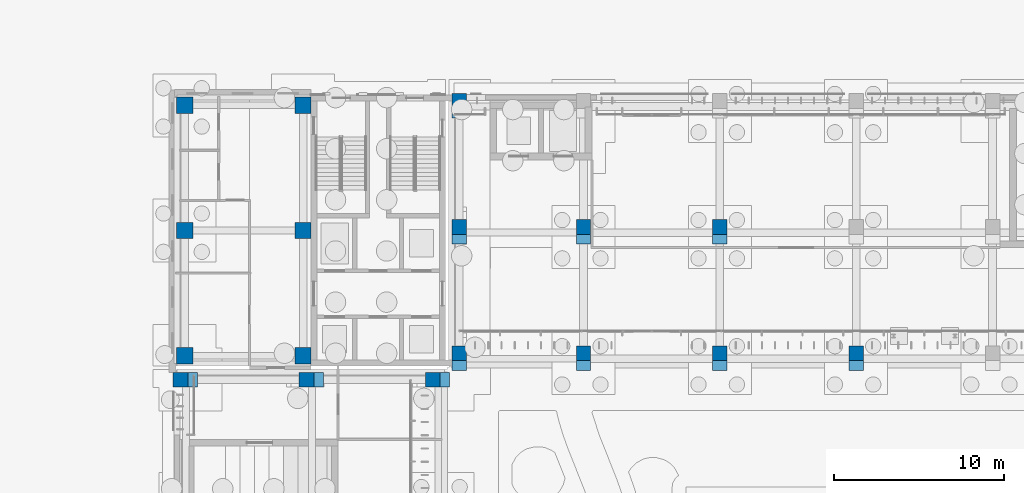
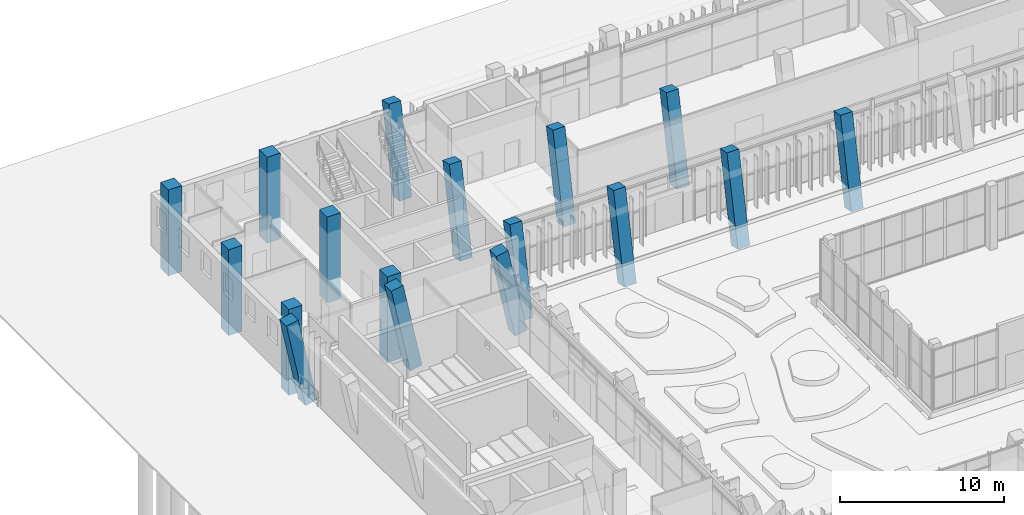
# One storey, part 22 of 144: 17 columns.
"""IFC4 building model written with IfcOpenShell, lengths in metres."""

from ifc_helpers import new_model, si_unit, direction, frame, origin, origin_2d, place, context, subcontext, project, spatial, rectangle, extrude, material, material_profile, profile_set, type_object, element, save


model = new_model("IFC4")

# Units and contexts
model_context = context("Model", 3, precision=1e-05, world=origin(), true_north=direction((0.0, 1.0)))
body_context = subcontext(model_context, "Body", "Model", "MODEL_VIEW")
ifc_project = project(units=[si_unit("LENGTHUNIT", "METRE"), si_unit("AREAUNIT", "SQUARE_METRE"), si_unit("VOLUMEUNIT", "CUBIC_METRE"), si_unit("PLANEANGLEUNIT", "RADIAN"), si_unit("MASSUNIT", "GRAM", prefix="KILO")], contexts=[model_context])

# Site, building, storey
site_placement = place(None, origin())
site = spatial("IfcSite", under=ifc_project, at=site_placement, CompositionType="ELEMENT")
building_placement = place(site_placement, origin())
building = spatial("IfcBuilding", under=site, at=building_placement, Name="Lantern Court Media Centre", CompositionType="ELEMENT")
storey_placement = place(building_placement, origin())
storey = spatial("IfcBuildingStorey", under=building, at=storey_placement, Name="L00", CompositionType="ELEMENT", Elevation=0.0)

# Columns
ifc_material = material(Name="Concrete C35", Category="concrete")
ifc_material_profile_1 = material_profile(ifc_material, rectangle(XDim=0.85009765625, YDim=0.85009765625, at=origin_2d()), Name="RC 850x850")
ifc_profile_set_1 = profile_set([ifc_material_profile_1], Name="Concrete C35")
column_type_1 = type_object("IfcColumnType", Name="RC COLUMN 850x850", PredefinedType="COLUMN", material=ifc_profile_set_1)
for number, where, z_axis, x_axis, name in (
    (1, (24.699951171875, 96.2666015625, -1.60009765625), (0.0, 0.203973640709, 0.978976380663), (-1.0, 0.0, 0.0), "C-N-0-0-L00"),
    (2, (32.0, 96.2666015625, -1.60009765625), (0.0, 0.203973640709, 0.978976380663), (-1.0, 0.0, 0.0), "C-N-0-1-L00"),
    (3, (40.0, 96.2666015625, -1.60009765625), (0.0, 0.203973640709, 0.978976380663), (-1.0, 0.0, 0.0), "C-N-0-2-L00"),
    (4, (48.0, 96.2666015625, -1.60009765625), (0.0, 0.203973640709, 0.978976380663), (-1.0, 0.0, 0.0), "C-N-0-3-L00"),
    (5, (24.699951171875, 103.666748046875, -1.60009765625), (0.0, 0.203937849881, 0.978983837142), (-1.0, 0.0, 0.0), "C-N-1-0-L00"),
    (6, (32.0, 103.666748046875, -1.60009765625), (0.0, 0.203937849881, 0.978983837142), (-1.0, 0.0, 0.0), "C-N-1-1-L00"),
    (7, (40.0, 103.666748046875, -1.60009765625), (0.0, 0.203937849881, 0.978983837142), (-1.0, 0.0, 0.0), "C-N-1-2-L00"),
    (8, (24.699951171875, 111.066650390625, -1.60009765625), (0.0, 0.203937849881, 0.978983837142), (-1.0, 0.0, 0.0), "C-N-2-0-L00"),
    (9, (8.933349609375, 95.300048828125, -1.60009765625), (-0.203937849881, 0.0, 0.978983837142), (0.0, -1.0, 0.0), "C-W-0-4-L00"),
    (10, (16.333251953125, 95.300048828125, -1.60009765625), (-0.203937849881, 0.0, 0.978983837142), (0.0, -1.0, 0.0), "C-W-1-4-L00"),
    (11, (23.7333984375, 95.300048828125, -1.60009765625), (-0.203973640709, 0.0, 0.978976380663), (0.0, -1.0, 0.0), "C-W-2-4-L00"),
):
    element("IfcColumn", number, at=place(storey_placement, frame(where, z_axis=z_axis, x_axis=x_axis)), inside=storey, type_object=column_type_1, Name=name, PredefinedType="COLUMN", context=body_context, shape_type="SweptSolid", body=[
        extrude(rectangle(XDim=0.85009765625, YDim=0.85009765625, at=origin_2d()), origin(), (0.0, 0.0, 1.0), 6.53759765625),
    ])
ifc_material_profile_2 = material_profile(ifc_material, rectangle(XDim=0.949951171875, YDim=0.949951171875, at=origin_2d()), Name="RC 950x950")
ifc_profile_set_2 = profile_set([ifc_material_profile_2], Name="Concrete C35")
column_type_2 = type_object("IfcColumnType", Name="RC COLUMN 950x950", PredefinedType="COLUMN", material=ifc_profile_set_2)
for number, where, z_axis, x_axis, name in (
    (12, (8.60009765625, 96.699951171875, -1.60009765625), (0.0, 0.0, 1.0), (1.0, 0.0, 0.0), "C-NW-0-L00"),
    (13, (8.60009765625, 104.050048828125, -1.60009765625), (0.0, 0.0, 1.0), (1.0, 0.0, 0.0), "C-NW-1-L00"),
    (14, (8.60009765625, 111.39990234375, -1.60009765625), (0.0, 0.0, 1.0), (1.0, 0.0, 0.0), "C-NW-2-L00"),
    (15, (15.550048828125, 96.699951171875, -1.60009765625), (0.0, 0.0, 1.0), (1.0, 0.0, 0.0), "C-NW-3-L00"),
    (16, (15.550048828125, 104.050048828125, -1.60009765625), (0.0, 0.0, 1.0), (1.0, 0.0, 0.0), "C-NW-4-L00"),
    (17, (15.550048828125, 111.39990234375, -1.60009765625), (0.0, 0.0, 1.0), (1.0, 0.0, 0.0), "C-NW-5-L00"),
):
    element("IfcColumn", number, at=place(storey_placement, frame(where, z_axis=z_axis, x_axis=x_axis)), inside=storey, type_object=column_type_2, Name=name, PredefinedType="COLUMN", context=body_context, shape_type="SweptSolid", body=[
        extrude(rectangle(XDim=0.949951171875, YDim=0.949951171875, at=origin_2d()), origin(), (0.0, 0.0, 1.0), 6.400146484375),
    ])

save(model, "model.ifc")
